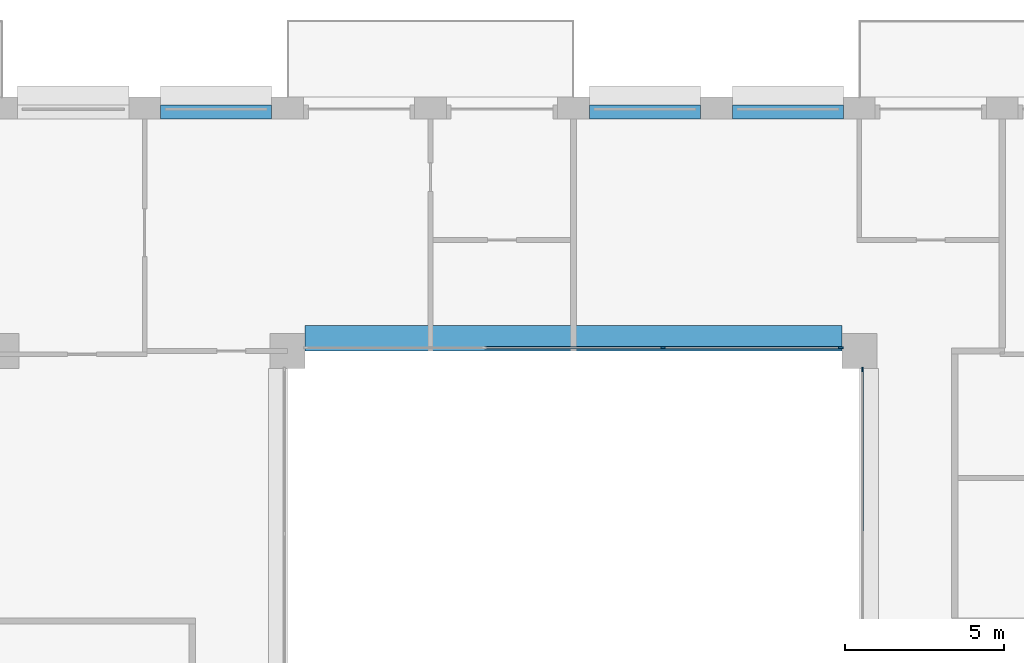
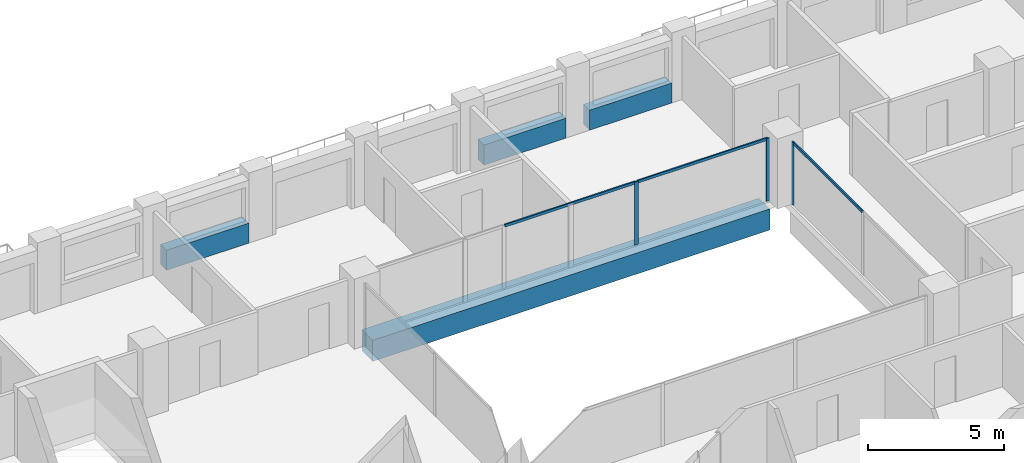
# One storey, part 6 of 16: 6 members, 4 beams, 2 elements without a shape of their own.
"""IFC4 building model written with IfcOpenShell, lengths in metres."""

from ifc_helpers import new_model, si_unit, direction, frame, origin, origin_2d, place, context, subcontext, project, spatial, rectangle, extrude, material, layer, layer_set, material_profile, profile_set, type_object, element, aggregate, save


model = new_model("IFC4")

# Units and contexts
model_context = context("Model", 3, precision=1e-05, world=origin(), true_north=direction((0.0, 1.0)))
body_context = subcontext(model_context, "Body", "Model", "MODEL_VIEW")
ifc_project = project(units=[si_unit("LENGTHUNIT", "METRE"), si_unit("AREAUNIT", "SQUARE_METRE"), si_unit("VOLUMEUNIT", "CUBIC_METRE"), si_unit("PLANEANGLEUNIT", "RADIAN"), si_unit("MASSUNIT", "GRAM", prefix="KILO")], contexts=[model_context])

# Site, building, storey
site_placement = place(None, origin())
site = spatial("IfcSite", under=ifc_project, at=site_placement, CompositionType="ELEMENT")
building_placement = place(site_placement, origin())
building = spatial("IfcBuilding", under=site, at=building_placement, Name="Brigalow Station Residences", CompositionType="ELEMENT")
storey_placement = place(building_placement, frame((0.0, 0.0, 166.5)))
storey = spatial("IfcBuildingStorey", under=building, at=storey_placement, Name="L48", CompositionType="ELEMENT", Elevation=166.5)

# Beam
ifc_material_1 = material(Name="Concrete C65", Category="concrete")
ifc_material_profile_1 = material_profile(ifc_material_1, rectangle(XDim=0.800048828125, YDim=0.949951171875, at=origin_2d()), Name="RC800x950")
ifc_profile_set_1 = profile_set([ifc_material_profile_1], Name="Concrete C65")
beam_type_1 = type_object("IfcBeamType", Name="ATRIUM EDGE GIRDER OVER 13.5 M SPAN 800x950 C65", PredefinedType="BEAM", material=ifc_profile_set_1)
beam_placement = place(storey_placement, frame((27.550048828125, 35.89990234375, -0.794921875), z_axis=(1.0, 0.0, 0.0), x_axis=(0.0, 1.0, 0.0)))
element("IfcBeam", 1, at=beam_placement, inside=storey, type_object=beam_type_1, Name="ATRIUM EDGE GIRDER D L48", PredefinedType="BEAM", context=body_context, shape_type="SweptSolid", body=[
    extrude(rectangle(XDim=0.800048828125, YDim=0.949951171875, at=origin_2d()), origin(), (0.0, 0.0, 1.0), 16.89990234375),
])

# Curtain wall, member
ifc_material_2 = material(Name="Aluminium", Category="aluminium")
ifc_layer = layer(ifc_material_2, 0.14990234375)
ifc_layer_set = layer_set([ifc_layer], Name="ATRIUM FIRE-RATED GLAZING CURTAIN WALL")
curtain_wall_type = type_object("IfcCurtainWallType", Name="ATRIUM FIRE-RATED GLAZING CURTAIN WALL", PredefinedType="NOTDEFINED", material=ifc_layer_set)
curtain_wall_1_placement = place(storey_placement, origin())
curtain_wall_1 = element("IfcCurtainWall", 2, at=curtain_wall_1_placement, inside=storey, type_object=curtain_wall_type, Name="L48/cw/atrium-E", PredefinedType="NOTDEFINED")
ifc_material_3 = material(Name="Aluminium", Category="aluminium")
ifc_material_profile_2 = material_profile(ifc_material_3, rectangle(XDim=0.06005859375, YDim=0.14990234375, at=origin_2d()), Name="ATRIUM FIRE-RATED GLAZING MULLION 60x150")
ifc_profile_set_2 = profile_set([ifc_material_profile_2], Name="Aluminium")
member_type_1 = type_object("IfcMemberType", Name="ATRIUM FIRE-RATED GLAZING MULLION 60x150", PredefinedType="MULLION", material=ifc_profile_set_2)
member_1_placement = place(storey_placement, frame((45.10009765625, 34.919921875, 0.0), z_axis=(0.0, 0.0, 1.0), x_axis=(-1.0, 0.0, 0.0)))
member_1 = element("IfcMember", 3, at=member_1_placement, type_object=member_type_1, Name="L48/cw/atrium-E/M02", PredefinedType="MULLION", context=body_context, shape_type="SweptSolid", body=[
    extrude(rectangle(XDim=0.06005859375, YDim=0.14990234375, at=origin_2d()), origin(), (0.0, 0.0, 1.0), 2.830078125),
])

# Curtain wall, members
curtain_wall_2_placement = place(storey_placement, origin())
curtain_wall_2 = element("IfcCurtainWall", 4, at=curtain_wall_2_placement, inside=storey, type_object=curtain_wall_type, Name="L48/cw/atrium-N", PredefinedType="NOTDEFINED")
member_2_placement = place(storey_placement, frame((44.419921875, 35.60009765625, 0.0), z_axis=(0.0, 0.0, 1.0), x_axis=(0.0, -1.0, 0.0)))
member_2 = element("IfcMember", 5, at=member_2_placement, type_object=member_type_1, Name="L48/cw/atrium-N/M00", PredefinedType="MULLION", context=body_context, shape_type="SweptSolid", body=[
    extrude(rectangle(XDim=0.06005859375, YDim=0.14990234375, at=origin_2d()), origin(), (0.0, 0.0, 1.0), 2.830078125),
])
member_3_placement = place(storey_placement, frame((38.816650390625, 35.60009765625, 0.0), z_axis=(0.0, 0.0, 1.0), x_axis=(0.0, -1.0, 0.0)))
member_3 = element("IfcMember", 6, at=member_3_placement, type_object=member_type_1, Name="L48/cw/atrium-N/M01", PredefinedType="MULLION", context=body_context, shape_type="SweptSolid", body=[
    extrude(rectangle(XDim=0.06005859375, YDim=0.14990234375, at=origin_2d()), origin(), (0.0, 0.0, 1.0), 2.830078125),
])

# Member
ifc_material_4 = material(Name="Aluminium", Category="aluminium")
ifc_material_profile_3 = material_profile(ifc_material_4, rectangle(XDim=0.06005859375, YDim=0.1201171875, at=origin_2d()), Name="ATRIUM FIRE-RATED GLAZING TRANSOM 60x120")
ifc_profile_set_3 = profile_set([ifc_material_profile_3], Name="Aluminium")
member_type_2 = type_object("IfcMemberType", Name="ATRIUM FIRE-RATED GLAZING TRANSOM 60x120", PredefinedType="USERDEFINED", material=ifc_profile_set_3)
member_4_placement = place(storey_placement, frame((45.10009765625, 29.780029296875, 2.800048828125), z_axis=(0.0, 1.0, 0.0), x_axis=(-1.0, 0.0, 0.0)))
member_4 = element("IfcMember", 7, at=member_4_placement, type_object=member_type_2, Name="L48/cw/atrium-E/T01-00", ObjectType="TRANSOM", PredefinedType="USERDEFINED", context=body_context, shape_type="SweptSolid", body=[
    extrude(rectangle(XDim=0.06005859375, YDim=0.1201171875, at=origin_2d()), origin(), (0.0, 0.0, 1.0), 5.10986328125),
])

aggregate(curtain_wall_1, [member_1, member_4])

member_5_placement = place(storey_placement, frame((44.389892578125, 35.60009765625, 2.800048828125), z_axis=(-1.0, 0.0, 0.0), x_axis=(0.0, -1.0, 0.0)))
member_5 = element("IfcMember", 8, at=member_5_placement, type_object=member_type_2, Name="L48/cw/atrium-N/T00-00", ObjectType="TRANSOM", PredefinedType="USERDEFINED", context=body_context, shape_type="SweptSolid", body=[
    extrude(rectangle(XDim=0.06005859375, YDim=0.1201171875, at=origin_2d()), origin(), (0.0, 0.0, 1.0), 5.543212890625),
])

member_6_placement = place(storey_placement, frame((38.78662109375, 35.60009765625, 2.800048828125), z_axis=(-1.0, 0.0, 0.0), x_axis=(0.0, -1.0, 0.0)))
member_6 = element("IfcMember", 9, at=member_6_placement, type_object=member_type_2, Name="L48/cw/atrium-N/T01-00", ObjectType="TRANSOM", PredefinedType="USERDEFINED", context=body_context, shape_type="SweptSolid", body=[
    extrude(rectangle(XDim=0.06005859375, YDim=0.1201171875, at=origin_2d()), origin(), (0.0, 0.0, 1.0), 5.5732421875),
])

aggregate(curtain_wall_2, [member_2, member_3, member_5, member_6])

# Beams
ifc_material_5 = material(Name="Concrete C50", Category="concrete")
ifc_material_profile_4 = material_profile(ifc_material_5, rectangle(XDim=0.449951171875, YDim=0.89990234375, at=origin_2d()), Name="RC450x900")
ifc_profile_set_4 = profile_set([ifc_material_profile_4], Name="Concrete C50")
beam_type_2 = type_object("IfcBeamType", Name="SPANDREL BEAM 450x900 C50", PredefinedType="SPANDREL", material=ifc_profile_set_4)
for number, where, z_axis, x_axis, name in (
    (10, (44.5, 43.02490234375, 0.449951171875), (-1.0, 0.0, 0.0), (0.0, -1.0, 0.0), "L48/spandrel/W-L48-27"),
    (11, (40.0, 43.02490234375, 0.449951171875), (-1.0, 0.0, 0.0), (0.0, -1.0, 0.0), "L48/spandrel/W-L48-28"),
    (12, (26.5, 43.02490234375, 0.449951171875), (-1.0, 0.0, 0.0), (0.0, -1.0, 0.0), "L48/spandrel/W-L48-31"),
):
    element("IfcBeam", number, at=place(storey_placement, frame(where, z_axis=z_axis, x_axis=x_axis)), inside=storey, type_object=beam_type_2, Name=name, PredefinedType="SPANDREL", context=body_context, shape_type="SweptSolid", body=[
        extrude(rectangle(XDim=0.449951171875, YDim=0.89990234375, at=origin_2d()), origin(), (0.0, 0.0, 1.0), 3.5),
    ])

save(model, "model.ifc")
